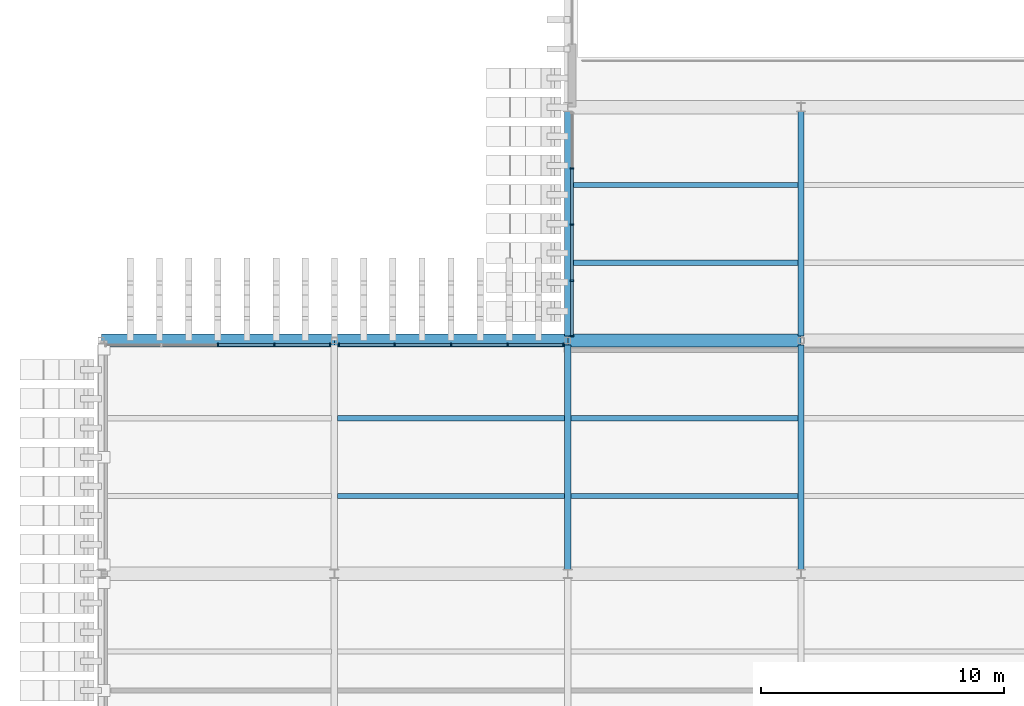
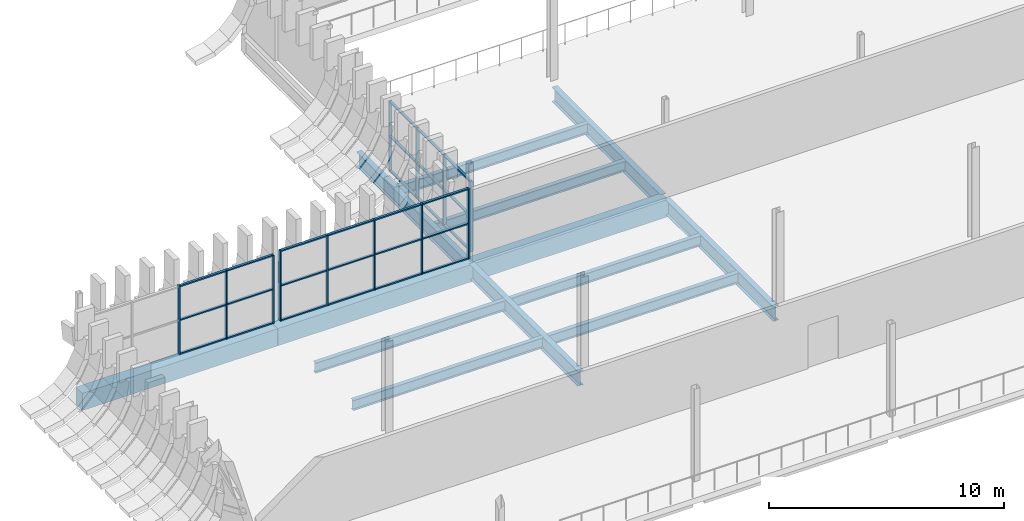
# One storey, part 23 of 100: 39 members, 13 beams, 3 elements without a shape of their own.
"""IFC4 building model written with IfcOpenShell, lengths in metres."""

from ifc_helpers import new_model, si_unit, direction, frame, origin, origin_2d, place, context, subcontext, project, spatial, rectangle, i_section, extrude, material, layer, layer_set, material_profile, profile_set, type_object, element, aggregate, save


model = new_model("IFC4")

# Units and contexts
model_context = context("Model", 3, precision=1e-05, world=origin(), true_north=direction((0.0, 1.0)))
body_context = subcontext(model_context, "Body", "Model", "MODEL_VIEW")
ifc_project = project(units=[si_unit("LENGTHUNIT", "METRE"), si_unit("AREAUNIT", "SQUARE_METRE"), si_unit("VOLUMEUNIT", "CUBIC_METRE"), si_unit("PLANEANGLEUNIT", "RADIAN"), si_unit("MASSUNIT", "GRAM", prefix="KILO")], contexts=[model_context])

# Site, building, storey
site_placement = place(None, origin())
site = spatial("IfcSite", under=ifc_project, at=site_placement, CompositionType="ELEMENT")
building_placement = place(site_placement, origin())
building = spatial("IfcBuilding", under=site, at=building_placement, Name="Caelomonte Colonnade Arena", CompositionType="ELEMENT")
storey_placement = place(building_placement, origin())
storey = spatial("IfcBuildingStorey", under=building, at=storey_placement, Name="L00", CompositionType="ELEMENT", Elevation=0.0)

# Curtain wall, members
ifc_material_1 = material(Name="Bronze anodised aluminium and low-E glazing", Category="aluminium")
ifc_layer_1 = layer(ifc_material_1, 0.179931640625)
ifc_layer_set_1 = layer_set([ifc_layer_1], Name="Bronze anodised aluminium and low-E glazing")
curtain_wall_type_1 = type_object("IfcCurtainWallType", Name="ENV-CW-CW-L00-96-37", PredefinedType="USERDEFINED", material=ifc_layer_set_1)
curtain_wall_1_placement = place(storey_placement, origin())
curtain_wall_1 = element("IfcCurtainWall", 1, at=curtain_wall_1_placement, inside=storey, type_object=curtain_wall_type_1, Name="L00 unitized curtain wall CW-L00-0194-0912", ObjectType="UNITIZED CURTAIN WALL", PredefinedType="USERDEFINED")
ifc_material_2 = material(Name="Bronze anodised aluminium AA6063-T6", Category="aluminium")
ifc_material_profile_1 = material_profile(ifc_material_2, rectangle(XDim=0.06494140625, YDim=0.14990234375, at=origin_2d()), Name="CWM-65X150")
ifc_profile_set_1 = profile_set([ifc_material_profile_1], Name="Bronze anodised aluminium AA6063-T6")
member_type_1 = type_object("IfcMemberType", Name="ENV-CW-MULL2", PredefinedType="MULLION", material=ifc_profile_set_1)
member_1_placement = place(storey_placement, frame((19.3798828125, 93.4833984375, 0.0), z_axis=(0.0, 0.0, 1.0), x_axis=(0.0, -1.0, 0.0)))
member_1 = element("IfcMember", 2, at=member_1_placement, type_object=member_type_1, Name="CW-L00-96-37 mullion 2", PredefinedType="MULLION", context=body_context, shape_type="SweptSolid", body=[
    extrude(rectangle(XDim=0.06494140625, YDim=0.14990234375, at=origin_2d()), origin(), (0.0, 0.0, 1.0), 3.664306640625),
])
member_2_placement = place(storey_placement, frame((19.3798828125, 91.17138671875, 0.0), z_axis=(0.0, 0.0, 1.0), x_axis=(0.0, -1.0, 0.0)))
member_2 = element("IfcMember", 3, at=member_2_placement, type_object=member_type_1, Name="CW-L00-96-37 mullion 3", PredefinedType="MULLION", context=body_context, shape_type="SweptSolid", body=[
    extrude(rectangle(XDim=0.06494140625, YDim=0.14990234375, at=origin_2d()), origin(), (0.0, 0.0, 1.0), 3.664306640625),
])
member_3_placement = place(storey_placement, frame((19.3798828125, 88.859130859375, 0.0), z_axis=(0.0, 0.0, 1.0), x_axis=(0.0, -1.0, 0.0)))
member_3 = element("IfcMember", 4, at=member_3_placement, type_object=member_type_1, Name="CW-L00-96-37 mullion 4", PredefinedType="MULLION", context=body_context, shape_type="SweptSolid", body=[
    extrude(rectangle(XDim=0.06494140625, YDim=0.14990234375, at=origin_2d()), origin(), (0.0, 0.0, 1.0), 3.664306640625),
])
member_4_placement = place(storey_placement, frame((19.3798828125, 86.57958984375, 0.0), z_axis=(0.0, 0.0, 1.0), x_axis=(0.0, -1.0, 0.0)))
member_4 = element("IfcMember", 5, at=member_4_placement, type_object=member_type_1, Name="CW-L00-96-37 mullion 5", PredefinedType="MULLION", context=body_context, shape_type="SweptSolid", body=[
    extrude(rectangle(XDim=0.06494140625, YDim=0.14990234375, at=origin_2d()), origin(), (0.0, 0.0, 1.0), 3.664306640625),
])

curtain_wall_2_placement = place(storey_placement, origin())
curtain_wall_2 = element("IfcCurtainWall", 6, at=curtain_wall_2_placement, inside=storey, type_object=curtain_wall_type_1, Name="L00 unitized curtain wall CW-L00-0144-0862", ObjectType="UNITIZED CURTAIN WALL", PredefinedType="USERDEFINED")
member_5_placement = place(storey_placement, frame((19.0205078125, 86.219970703125, 0.0), z_axis=(0.0, 0.0, 1.0), x_axis=(-1.0, 0.0, 0.0)))
member_5 = element("IfcMember", 7, at=member_5_placement, type_object=member_type_1, Name="CW-L00-96-37 mullion 1", PredefinedType="MULLION", context=body_context, shape_type="SweptSolid", body=[
    extrude(rectangle(XDim=0.06494140625, YDim=0.14990234375, at=origin_2d()), origin(), (0.0, 0.0, 1.0), 3.664306640625),
])
member_6_placement = place(storey_placement, frame((16.7265625, 86.219970703125, 0.0), z_axis=(0.0, 0.0, 1.0), x_axis=(-1.0, 0.0, 0.0)))
member_6 = element("IfcMember", 8, at=member_6_placement, type_object=member_type_1, Name="CW-L00-96-37 mullion 2", PredefinedType="MULLION", context=body_context, shape_type="SweptSolid", body=[
    extrude(rectangle(XDim=0.06494140625, YDim=0.14990234375, at=origin_2d()), origin(), (0.0, 0.0, 1.0), 3.664306640625),
])
member_7_placement = place(storey_placement, frame((14.39990234375, 86.219970703125, 0.0), z_axis=(0.0, 0.0, 1.0), x_axis=(-1.0, 0.0, 0.0)))
member_7 = element("IfcMember", 9, at=member_7_placement, type_object=member_type_1, Name="CW-L00-96-37 mullion 3", PredefinedType="MULLION", context=body_context, shape_type="SweptSolid", body=[
    extrude(rectangle(XDim=0.06494140625, YDim=0.14990234375, at=origin_2d()), origin(), (0.0, 0.0, 1.0), 3.664306640625),
])
member_8_placement = place(storey_placement, frame((12.073486328125, 86.219970703125, 0.0), z_axis=(0.0, 0.0, 1.0), x_axis=(-1.0, 0.0, 0.0)))
member_8 = element("IfcMember", 10, at=member_8_placement, type_object=member_type_1, Name="CW-L00-96-37 mullion 4", PredefinedType="MULLION", context=body_context, shape_type="SweptSolid", body=[
    extrude(rectangle(XDim=0.06494140625, YDim=0.14990234375, at=origin_2d()), origin(), (0.0, 0.0, 1.0), 3.664306640625),
])
member_9_placement = place(storey_placement, frame((9.779541015625, 86.219970703125, 0.0), z_axis=(0.0, 0.0, 1.0), x_axis=(-1.0, 0.0, 0.0)))
member_9 = element("IfcMember", 11, at=member_9_placement, type_object=member_type_1, Name="CW-L00-96-37 mullion 5", PredefinedType="MULLION", context=body_context, shape_type="SweptSolid", body=[
    extrude(rectangle(XDim=0.06494140625, YDim=0.14990234375, at=origin_2d()), origin(), (0.0, 0.0, 1.0), 3.664306640625),
])

ifc_layer_2 = layer(ifc_material_1, 0.179931640625)
ifc_layer_set_2 = layer_set([ifc_layer_2], Name="Bronze anodised aluminium and low-E glazing")
curtain_wall_type_2 = type_object("IfcCurtainWallType", Name="ENV-CW-CW-L00-96-36", PredefinedType="USERDEFINED", material=ifc_layer_set_2)
curtain_wall_3_placement = place(storey_placement, origin())
curtain_wall_3 = element("IfcCurtainWall", 12, at=curtain_wall_3_placement, inside=storey, type_object=curtain_wall_type_2, Name="L00 unitized curtain wall CW-L00-0048-0862", ObjectType="UNITIZED CURTAIN WALL", PredefinedType="USERDEFINED")
member_10_placement = place(storey_placement, frame((9.42041015625, 86.219970703125, 0.0), z_axis=(0.0, 0.0, 1.0), x_axis=(-1.0, 0.0, 0.0)))
member_10 = element("IfcMember", 13, at=member_10_placement, type_object=member_type_1, Name="CW-L00-96-36 mullion 1", PredefinedType="MULLION", context=body_context, shape_type="SweptSolid", body=[
    extrude(rectangle(XDim=0.06494140625, YDim=0.14990234375, at=origin_2d()), origin(), (0.0, 0.0, 1.0), 3.572998046875),
])
member_11_placement = place(storey_placement, frame((7.12646484375, 86.219970703125, 0.0), z_axis=(0.0, 0.0, 1.0), x_axis=(-1.0, 0.0, 0.0)))
member_11 = element("IfcMember", 14, at=member_11_placement, type_object=member_type_1, Name="CW-L00-96-36 mullion 2", PredefinedType="MULLION", context=body_context, shape_type="SweptSolid", body=[
    extrude(rectangle(XDim=0.06494140625, YDim=0.14990234375, at=origin_2d()), origin(), (0.0, 0.0, 1.0), 3.572998046875),
])
member_12_placement = place(storey_placement, frame((4.800048828125, 86.219970703125, 0.0), z_axis=(0.0, 0.0, 1.0), x_axis=(-1.0, 0.0, 0.0)))
member_12 = element("IfcMember", 15, at=member_12_placement, type_object=member_type_1, Name="CW-L00-96-36 mullion 3", PredefinedType="MULLION", context=body_context, shape_type="SweptSolid", body=[
    extrude(rectangle(XDim=0.06494140625, YDim=0.14990234375, at=origin_2d()), origin(), (0.0, 0.0, 1.0), 3.572998046875),
])

# Member
ifc_material_profile_2 = material_profile(ifc_material_2, rectangle(XDim=0.06494140625, YDim=0.1201171875, at=origin_2d()), Name="CWT-65X120")
ifc_profile_set_2 = profile_set([ifc_material_profile_2], Name="Bronze anodised aluminium AA6063-T6")
member_type_2 = type_object("IfcMemberType", Name="ENV-CW-TRAN2", PredefinedType="USERDEFINED", material=ifc_profile_set_2)
member_13_placement = place(storey_placement, frame((19.3798828125, 93.450927734375, 0.032470703125), z_axis=(0.0, -1.0, 0.0), x_axis=(0.0, 0.0, 1.0)))
member_13 = element("IfcMember", 16, at=member_13_placement, type_object=member_type_2, Name="CW-L00-96-37 transom 2.1", ObjectType="TRANSOM", PredefinedType="USERDEFINED", context=body_context, shape_type="SweptSolid", body=[
    extrude(rectangle(XDim=0.06494140625, YDim=0.1201171875, at=origin_2d()), origin(), (0.0, 0.0, 1.0), 2.2470703125),
])

member_14_placement = place(storey_placement, frame((19.3798828125, 93.450927734375, 1.832275390625), z_axis=(0.0, -1.0, 0.0), x_axis=(0.0, 0.0, 1.0)))
member_14 = element("IfcMember", 17, at=member_14_placement, type_object=member_type_2, Name="CW-L00-96-37 transom 2.2", ObjectType="TRANSOM", PredefinedType="USERDEFINED", context=body_context, shape_type="SweptSolid", body=[
    extrude(rectangle(XDim=0.06494140625, YDim=0.1201171875, at=origin_2d()), origin(), (0.0, 0.0, 1.0), 2.2470703125),
])

member_15_placement = place(storey_placement, frame((19.3798828125, 93.450927734375, 3.6318359375), z_axis=(0.0, -1.0, 0.0), x_axis=(0.0, 0.0, 1.0)))
member_15 = element("IfcMember", 18, at=member_15_placement, type_object=member_type_2, Name="CW-L00-96-37 transom 2.3", ObjectType="TRANSOM", PredefinedType="USERDEFINED", context=body_context, shape_type="SweptSolid", body=[
    extrude(rectangle(XDim=0.06494140625, YDim=0.1201171875, at=origin_2d()), origin(), (0.0, 0.0, 1.0), 2.2470703125),
])

member_16_placement = place(storey_placement, frame((19.3798828125, 91.138916015625, 0.032470703125), z_axis=(0.0, -1.0, 0.0), x_axis=(0.0, 0.0, 1.0)))
member_16 = element("IfcMember", 19, at=member_16_placement, type_object=member_type_2, Name="CW-L00-96-37 transom 3.1", ObjectType="TRANSOM", PredefinedType="USERDEFINED", context=body_context, shape_type="SweptSolid", body=[
    extrude(rectangle(XDim=0.06494140625, YDim=0.1201171875, at=origin_2d()), origin(), (0.0, 0.0, 1.0), 2.247314453125),
])

member_17_placement = place(storey_placement, frame((19.3798828125, 91.138916015625, 1.832275390625), z_axis=(0.0, -1.0, 0.0), x_axis=(0.0, 0.0, 1.0)))
member_17 = element("IfcMember", 20, at=member_17_placement, type_object=member_type_2, Name="CW-L00-96-37 transom 3.2", ObjectType="TRANSOM", PredefinedType="USERDEFINED", context=body_context, shape_type="SweptSolid", body=[
    extrude(rectangle(XDim=0.06494140625, YDim=0.1201171875, at=origin_2d()), origin(), (0.0, 0.0, 1.0), 2.247314453125),
])

member_18_placement = place(storey_placement, frame((19.3798828125, 91.138916015625, 3.6318359375), z_axis=(0.0, -1.0, 0.0), x_axis=(0.0, 0.0, 1.0)))
member_18 = element("IfcMember", 21, at=member_18_placement, type_object=member_type_2, Name="CW-L00-96-37 transom 3.3", ObjectType="TRANSOM", PredefinedType="USERDEFINED", context=body_context, shape_type="SweptSolid", body=[
    extrude(rectangle(XDim=0.06494140625, YDim=0.1201171875, at=origin_2d()), origin(), (0.0, 0.0, 1.0), 2.247314453125),
])

member_19_placement = place(storey_placement, frame((19.3798828125, 88.82666015625, 0.032470703125), z_axis=(0.0, -1.0, 0.0), x_axis=(0.0, 0.0, 1.0)))
member_19 = element("IfcMember", 22, at=member_19_placement, type_object=member_type_2, Name="CW-L00-96-37 transom 4.1", ObjectType="TRANSOM", PredefinedType="USERDEFINED", context=body_context, shape_type="SweptSolid", body=[
    extrude(rectangle(XDim=0.06494140625, YDim=0.1201171875, at=origin_2d()), origin(), (0.0, 0.0, 1.0), 2.214599609375),
])

member_20_placement = place(storey_placement, frame((19.3798828125, 88.82666015625, 1.832275390625), z_axis=(0.0, -1.0, 0.0), x_axis=(0.0, 0.0, 1.0)))
member_20 = element("IfcMember", 23, at=member_20_placement, type_object=member_type_2, Name="CW-L00-96-37 transom 4.2", ObjectType="TRANSOM", PredefinedType="USERDEFINED", context=body_context, shape_type="SweptSolid", body=[
    extrude(rectangle(XDim=0.06494140625, YDim=0.1201171875, at=origin_2d()), origin(), (0.0, 0.0, 1.0), 2.214599609375),
])

member_21_placement = place(storey_placement, frame((19.3798828125, 88.82666015625, 3.6318359375), z_axis=(0.0, -1.0, 0.0), x_axis=(0.0, 0.0, 1.0)))
member_21 = element("IfcMember", 24, at=member_21_placement, type_object=member_type_2, Name="CW-L00-96-37 transom 4.3", ObjectType="TRANSOM", PredefinedType="USERDEFINED", context=body_context, shape_type="SweptSolid", body=[
    extrude(rectangle(XDim=0.06494140625, YDim=0.1201171875, at=origin_2d()), origin(), (0.0, 0.0, 1.0), 2.214599609375),
])

aggregate(curtain_wall_1, [member_1, member_2, member_3, member_4, member_13, member_14, member_15, member_16, member_17, member_18, member_19, member_20, member_21])

member_22_placement = place(storey_placement, frame((18.988037109375, 86.219970703125, 0.032470703125), z_axis=(-1.0, 0.0, 0.0), x_axis=(0.0, 0.0, 1.0)))
member_22 = element("IfcMember", 25, at=member_22_placement, type_object=member_type_2, Name="CW-L00-96-37 transom 1.1", ObjectType="TRANSOM", PredefinedType="USERDEFINED", context=body_context, shape_type="SweptSolid", body=[
    extrude(rectangle(XDim=0.06494140625, YDim=0.1201171875, at=origin_2d()), origin(), (0.0, 0.0, 1.0), 2.22900390625),
])

member_23_placement = place(storey_placement, frame((18.988037109375, 86.219970703125, 1.832275390625), z_axis=(-1.0, 0.0, 0.0), x_axis=(0.0, 0.0, 1.0)))
member_23 = element("IfcMember", 26, at=member_23_placement, type_object=member_type_2, Name="CW-L00-96-37 transom 1.2", ObjectType="TRANSOM", PredefinedType="USERDEFINED", context=body_context, shape_type="SweptSolid", body=[
    extrude(rectangle(XDim=0.06494140625, YDim=0.1201171875, at=origin_2d()), origin(), (0.0, 0.0, 1.0), 2.22900390625),
])

member_24_placement = place(storey_placement, frame((18.988037109375, 86.219970703125, 3.6318359375), z_axis=(-1.0, 0.0, 0.0), x_axis=(0.0, 0.0, 1.0)))
member_24 = element("IfcMember", 27, at=member_24_placement, type_object=member_type_2, Name="CW-L00-96-37 transom 1.3", ObjectType="TRANSOM", PredefinedType="USERDEFINED", context=body_context, shape_type="SweptSolid", body=[
    extrude(rectangle(XDim=0.06494140625, YDim=0.1201171875, at=origin_2d()), origin(), (0.0, 0.0, 1.0), 2.22900390625),
])

member_25_placement = place(storey_placement, frame((16.694091796875, 86.219970703125, 0.032470703125), z_axis=(-1.0, 0.0, 0.0), x_axis=(0.0, 0.0, 1.0)))
member_25 = element("IfcMember", 28, at=member_25_placement, type_object=member_type_2, Name="CW-L00-96-37 transom 2.1", ObjectType="TRANSOM", PredefinedType="USERDEFINED", context=body_context, shape_type="SweptSolid", body=[
    extrude(rectangle(XDim=0.06494140625, YDim=0.1201171875, at=origin_2d()), origin(), (0.0, 0.0, 1.0), 2.261474609375),
])

member_26_placement = place(storey_placement, frame((16.694091796875, 86.219970703125, 1.832275390625), z_axis=(-1.0, 0.0, 0.0), x_axis=(0.0, 0.0, 1.0)))
member_26 = element("IfcMember", 29, at=member_26_placement, type_object=member_type_2, Name="CW-L00-96-37 transom 2.2", ObjectType="TRANSOM", PredefinedType="USERDEFINED", context=body_context, shape_type="SweptSolid", body=[
    extrude(rectangle(XDim=0.06494140625, YDim=0.1201171875, at=origin_2d()), origin(), (0.0, 0.0, 1.0), 2.261474609375),
])

member_27_placement = place(storey_placement, frame((16.694091796875, 86.219970703125, 3.6318359375), z_axis=(-1.0, 0.0, 0.0), x_axis=(0.0, 0.0, 1.0)))
member_27 = element("IfcMember", 30, at=member_27_placement, type_object=member_type_2, Name="CW-L00-96-37 transom 2.3", ObjectType="TRANSOM", PredefinedType="USERDEFINED", context=body_context, shape_type="SweptSolid", body=[
    extrude(rectangle(XDim=0.06494140625, YDim=0.1201171875, at=origin_2d()), origin(), (0.0, 0.0, 1.0), 2.261474609375),
])

member_28_placement = place(storey_placement, frame((14.367431640625, 86.219970703125, 0.032470703125), z_axis=(-1.0, 0.0, 0.0), x_axis=(0.0, 0.0, 1.0)))
member_28 = element("IfcMember", 31, at=member_28_placement, type_object=member_type_2, Name="CW-L00-96-37 transom 3.1", ObjectType="TRANSOM", PredefinedType="USERDEFINED", context=body_context, shape_type="SweptSolid", body=[
    extrude(rectangle(XDim=0.06494140625, YDim=0.1201171875, at=origin_2d()), origin(), (0.0, 0.0, 1.0), 2.261474609375),
])

member_29_placement = place(storey_placement, frame((14.367431640625, 86.219970703125, 1.832275390625), z_axis=(-1.0, 0.0, 0.0), x_axis=(0.0, 0.0, 1.0)))
member_29 = element("IfcMember", 32, at=member_29_placement, type_object=member_type_2, Name="CW-L00-96-37 transom 3.2", ObjectType="TRANSOM", PredefinedType="USERDEFINED", context=body_context, shape_type="SweptSolid", body=[
    extrude(rectangle(XDim=0.06494140625, YDim=0.1201171875, at=origin_2d()), origin(), (0.0, 0.0, 1.0), 2.261474609375),
])

member_30_placement = place(storey_placement, frame((14.367431640625, 86.219970703125, 3.6318359375), z_axis=(-1.0, 0.0, 0.0), x_axis=(0.0, 0.0, 1.0)))
member_30 = element("IfcMember", 33, at=member_30_placement, type_object=member_type_2, Name="CW-L00-96-37 transom 3.3", ObjectType="TRANSOM", PredefinedType="USERDEFINED", context=body_context, shape_type="SweptSolid", body=[
    extrude(rectangle(XDim=0.06494140625, YDim=0.1201171875, at=origin_2d()), origin(), (0.0, 0.0, 1.0), 2.261474609375),
])

member_31_placement = place(storey_placement, frame((12.041015625, 86.219970703125, 0.032470703125), z_axis=(-1.0, 0.0, 0.0), x_axis=(0.0, 0.0, 1.0)))
member_31 = element("IfcMember", 34, at=member_31_placement, type_object=member_type_2, Name="CW-L00-96-37 transom 4.1", ObjectType="TRANSOM", PredefinedType="USERDEFINED", context=body_context, shape_type="SweptSolid", body=[
    extrude(rectangle(XDim=0.06494140625, YDim=0.1201171875, at=origin_2d()), origin(), (0.0, 0.0, 1.0), 2.22900390625),
])

member_32_placement = place(storey_placement, frame((12.041015625, 86.219970703125, 1.832275390625), z_axis=(-1.0, 0.0, 0.0), x_axis=(0.0, 0.0, 1.0)))
member_32 = element("IfcMember", 35, at=member_32_placement, type_object=member_type_2, Name="CW-L00-96-37 transom 4.2", ObjectType="TRANSOM", PredefinedType="USERDEFINED", context=body_context, shape_type="SweptSolid", body=[
    extrude(rectangle(XDim=0.06494140625, YDim=0.1201171875, at=origin_2d()), origin(), (0.0, 0.0, 1.0), 2.22900390625),
])

member_33_placement = place(storey_placement, frame((12.041015625, 86.219970703125, 3.6318359375), z_axis=(-1.0, 0.0, 0.0), x_axis=(0.0, 0.0, 1.0)))
member_33 = element("IfcMember", 36, at=member_33_placement, type_object=member_type_2, Name="CW-L00-96-37 transom 4.3", ObjectType="TRANSOM", PredefinedType="USERDEFINED", context=body_context, shape_type="SweptSolid", body=[
    extrude(rectangle(XDim=0.06494140625, YDim=0.1201171875, at=origin_2d()), origin(), (0.0, 0.0, 1.0), 2.22900390625),
])

aggregate(curtain_wall_2, [member_5, member_6, member_7, member_8, member_9, member_22, member_23, member_24, member_25, member_26, member_27, member_28, member_29, member_30, member_31, member_32, member_33])

member_34_placement = place(storey_placement, frame((9.387939453125, 86.219970703125, 0.032470703125), z_axis=(-1.0, 0.0, 0.0), x_axis=(0.0, 0.0, 1.0)))
member_34 = element("IfcMember", 37, at=member_34_placement, type_object=member_type_2, Name="CW-L00-96-36 transom 1.1", ObjectType="TRANSOM", PredefinedType="USERDEFINED", context=body_context, shape_type="SweptSolid", body=[
    extrude(rectangle(XDim=0.06494140625, YDim=0.1201171875, at=origin_2d()), origin(), (0.0, 0.0, 1.0), 2.22900390625),
])

member_35_placement = place(storey_placement, frame((9.387939453125, 86.219970703125, 1.78662109375), z_axis=(-1.0, 0.0, 0.0), x_axis=(0.0, 0.0, 1.0)))
member_35 = element("IfcMember", 38, at=member_35_placement, type_object=member_type_2, Name="CW-L00-96-36 transom 1.2", ObjectType="TRANSOM", PredefinedType="USERDEFINED", context=body_context, shape_type="SweptSolid", body=[
    extrude(rectangle(XDim=0.06494140625, YDim=0.1201171875, at=origin_2d()), origin(), (0.0, 0.0, 1.0), 2.22900390625),
])

member_36_placement = place(storey_placement, frame((9.387939453125, 86.219970703125, 3.54052734375), z_axis=(-1.0, 0.0, 0.0), x_axis=(0.0, 0.0, 1.0)))
member_36 = element("IfcMember", 39, at=member_36_placement, type_object=member_type_2, Name="CW-L00-96-36 transom 1.3", ObjectType="TRANSOM", PredefinedType="USERDEFINED", context=body_context, shape_type="SweptSolid", body=[
    extrude(rectangle(XDim=0.06494140625, YDim=0.1201171875, at=origin_2d()), origin(), (0.0, 0.0, 1.0), 2.22900390625),
])

member_37_placement = place(storey_placement, frame((7.093994140625, 86.219970703125, 0.032470703125), z_axis=(-1.0, 0.0, 0.0), x_axis=(0.0, 0.0, 1.0)))
member_37 = element("IfcMember", 40, at=member_37_placement, type_object=member_type_2, Name="CW-L00-96-36 transom 2.1", ObjectType="TRANSOM", PredefinedType="USERDEFINED", context=body_context, shape_type="SweptSolid", body=[
    extrude(rectangle(XDim=0.06494140625, YDim=0.1201171875, at=origin_2d()), origin(), (0.0, 0.0, 1.0), 2.261474609375),
])

member_38_placement = place(storey_placement, frame((7.093994140625, 86.219970703125, 1.78662109375), z_axis=(-1.0, 0.0, 0.0), x_axis=(0.0, 0.0, 1.0)))
member_38 = element("IfcMember", 41, at=member_38_placement, type_object=member_type_2, Name="CW-L00-96-36 transom 2.2", ObjectType="TRANSOM", PredefinedType="USERDEFINED", context=body_context, shape_type="SweptSolid", body=[
    extrude(rectangle(XDim=0.06494140625, YDim=0.1201171875, at=origin_2d()), origin(), (0.0, 0.0, 1.0), 2.261474609375),
])

member_39_placement = place(storey_placement, frame((7.093994140625, 86.219970703125, 3.54052734375), z_axis=(-1.0, 0.0, 0.0), x_axis=(0.0, 0.0, 1.0)))
member_39 = element("IfcMember", 42, at=member_39_placement, type_object=member_type_2, Name="CW-L00-96-36 transom 2.3", ObjectType="TRANSOM", PredefinedType="USERDEFINED", context=body_context, shape_type="SweptSolid", body=[
    extrude(rectangle(XDim=0.06494140625, YDim=0.1201171875, at=origin_2d()), origin(), (0.0, 0.0, 1.0), 2.261474609375),
])

aggregate(curtain_wall_3, [member_10, member_11, member_12, member_34, member_35, member_36, member_37, member_38, member_39])

# Beams
ifc_material_3 = material(Name="Wide-flange steel ASTM A992 Grade 50", Category="steel")
ifc_material_profile_3 = material_profile(ifc_material_3, i_section(OverallWidth=0.2666015625, OverallDepth=0.761962890625, WebThickness=0.014404296875, FlangeThickness=0.021484375, FilletRadius=0.0166015625, at=origin_2d()), Name="W30X116")
ifc_profile_set_3 = profile_set([ifc_material_profile_3], Name="Wide-flange steel ASTM A992 Grade 50")
beam_type_1 = type_object("IfcBeamType", Name="STR-BM-GIRD30", PredefinedType="BEAM", material=ifc_profile_set_3)
beam_1_placement = place(storey_placement, frame((19.199951171875, 76.978271484375, -0.680908203125), z_axis=(0.0, 1.0, 0.0), x_axis=(-1.0, 0.0, 0.0)))
element("IfcBeam", 43, at=beam_1_placement, inside=storey, type_object=beam_type_1, Name="L00 girder BMY-L00-0192-0768", PredefinedType="BEAM", context=body_context, shape_type="SweptSolid", body=[
    extrude(i_section(OverallWidth=0.2666015625, OverallDepth=0.761962890625, WebThickness=0.014404296875, FlangeThickness=0.021484375, FilletRadius=0.0166015625, at=origin_2d()), origin(), (0.0, 0.0, 1.0), 9.243408203125),
])
beam_2_placement = place(storey_placement, frame((19.199951171875, 86.578125, -0.680908203125), z_axis=(0.0, 1.0, 0.0), x_axis=(-1.0, 0.0, 0.0)))
element("IfcBeam", 44, at=beam_2_placement, inside=storey, type_object=beam_type_1, Name="L00 girder BMY-L00-0192-0864", PredefinedType="BEAM", context=body_context, shape_type="SweptSolid", body=[
    extrude(i_section(OverallWidth=0.2666015625, OverallDepth=0.761962890625, WebThickness=0.014404296875, FlangeThickness=0.021484375, FilletRadius=0.0166015625, at=origin_2d()), origin(), (0.0, 0.0, 1.0), 9.24365234375),
])
beam_3_placement = place(storey_placement, frame((28.800048828125, 76.978271484375, -0.680908203125), z_axis=(0.0, 1.0, 0.0), x_axis=(-1.0, 0.0, 0.0)))
element("IfcBeam", 45, at=beam_3_placement, inside=storey, type_object=beam_type_1, Name="L00 girder BMY-L00-0288-0768", PredefinedType="BEAM", context=body_context, shape_type="SweptSolid", body=[
    extrude(i_section(OverallWidth=0.2666015625, OverallDepth=0.761962890625, WebThickness=0.014404296875, FlangeThickness=0.021484375, FilletRadius=0.0166015625, at=origin_2d()), origin(), (0.0, 0.0, 1.0), 9.243408203125),
])
beam_4_placement = place(storey_placement, frame((28.800048828125, 86.578125, -0.680908203125), z_axis=(0.0, 1.0, 0.0), x_axis=(-1.0, 0.0, 0.0)))
element("IfcBeam", 46, at=beam_4_placement, inside=storey, type_object=beam_type_1, Name="L00 girder BMY-L00-0288-0864", PredefinedType="BEAM", context=body_context, shape_type="SweptSolid", body=[
    extrude(i_section(OverallWidth=0.2666015625, OverallDepth=0.761962890625, WebThickness=0.014404296875, FlangeThickness=0.021484375, FilletRadius=0.0166015625, at=origin_2d()), origin(), (0.0, 0.0, 1.0), 9.24365234375),
])
ifc_material_profile_4 = material_profile(ifc_material_3, i_section(OverallWidth=0.209228515625, OverallDepth=0.533447265625, WebThickness=0.01025390625, FlangeThickness=0.015625, FilletRadius=0.0126953125, at=origin_2d()), Name="W21X62")
ifc_profile_set_4 = profile_set([ifc_material_profile_4], Name="Wide-flange steel ASTM A992 Grade 50")
beam_type_2 = type_object("IfcBeamType", Name="STR-BM-JOIST21", PredefinedType="JOIST", material=ifc_profile_set_4)
for number, where, z_axis, x_axis, name in (
    (47, (9.728271484375, 80.0, -0.566650390625), (1.0, 0.0, 0.0), (0.0, 1.0, 0.0), "L00 secondary joist 1"),
    (48, (9.728271484375, 83.199951171875, -0.566650390625), (1.0, 0.0, 0.0), (0.0, 1.0, 0.0), "L00 secondary joist 2"),
    (49, (19.328369140625, 80.0, -0.566650390625), (1.0, 0.0, 0.0), (0.0, 1.0, 0.0), "L00 secondary joist 1"),
    (50, (19.328369140625, 83.199951171875, -0.566650390625), (1.0, 0.0, 0.0), (0.0, 1.0, 0.0), "L00 secondary joist 2"),
    (51, (19.328369140625, 89.60009765625, -0.566650390625), (1.0, 0.0, 0.0), (0.0, 1.0, 0.0), "L00 secondary joist 1"),
    (52, (19.328369140625, 92.800048828125, -0.566650390625), (1.0, 0.0, 0.0), (0.0, 1.0, 0.0), "L00 secondary joist 2"),
):
    element("IfcBeam", number, at=place(storey_placement, frame(where, z_axis=z_axis, x_axis=x_axis)), inside=storey, type_object=beam_type_2, Name=name, PredefinedType="JOIST", context=body_context, shape_type="SweptSolid", body=[
        extrude(i_section(OverallWidth=0.209228515625, OverallDepth=0.533447265625, WebThickness=0.01025390625, FlangeThickness=0.015625, FilletRadius=0.0126953125, at=origin_2d()), origin(), (0.0, 0.0, 1.0), 9.34326171875),
    ])
ifc_material_4 = material(Name="Concrete C40/50", Category="concrete")
ifc_material_profile_5 = material_profile(ifc_material_4, rectangle(XDim=0.550048828125, YDim=0.89990234375, at=origin_2d()), Name="RC550X900")
ifc_profile_set_5 = profile_set([ifc_material_profile_5], Name="Concrete C40/50")
beam_type_3 = type_object("IfcBeamType", Name="STR-BM-RC55", PredefinedType="BEAM", material=ifc_profile_set_5)
beam_5_placement = place(storey_placement, frame((0.00830078125, 86.39990234375, -0.75), z_axis=(1.0, 0.0, 0.0), x_axis=(0.0, 1.0, 0.0)))
element("IfcBeam", 53, at=beam_5_placement, inside=storey, type_object=beam_type_3, Name="L00 girder BMX-L00-0000-0864", PredefinedType="BEAM", context=body_context, shape_type="SweptSolid", body=[
    extrude(rectangle(XDim=0.550048828125, YDim=0.89990234375, at=origin_2d()), origin(), (0.0, 0.0, 1.0), 9.58349609375),
])
beam_6_placement = place(storey_placement, frame((9.608154296875, 86.39990234375, -0.75), z_axis=(1.0, 0.0, 0.0), x_axis=(0.0, 1.0, 0.0)))
element("IfcBeam", 54, at=beam_6_placement, inside=storey, type_object=beam_type_3, Name="L00 girder BMX-L00-0096-0864", PredefinedType="BEAM", context=body_context, shape_type="SweptSolid", body=[
    extrude(rectangle(XDim=0.550048828125, YDim=0.89990234375, at=origin_2d()), origin(), (0.0, 0.0, 1.0), 9.583740234375),
])
beam_7_placement = place(storey_placement, frame((19.208251953125, 86.39990234375, -0.75), z_axis=(1.0, 0.0, 0.0), x_axis=(0.0, 1.0, 0.0)))
element("IfcBeam", 55, at=beam_7_placement, inside=storey, type_object=beam_type_3, Name="L00 girder BMX-L00-0192-0864", PredefinedType="BEAM", context=body_context, shape_type="SweptSolid", body=[
    extrude(rectangle(XDim=0.550048828125, YDim=0.89990234375, at=origin_2d()), origin(), (0.0, 0.0, 1.0), 9.58349609375),
])

save(model, "model.ifc")
